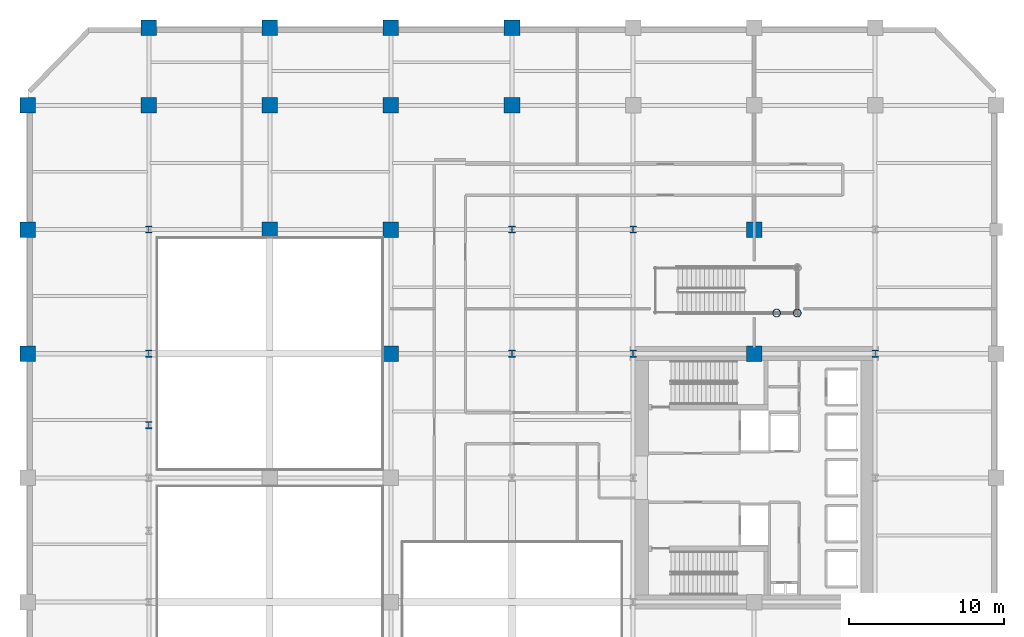
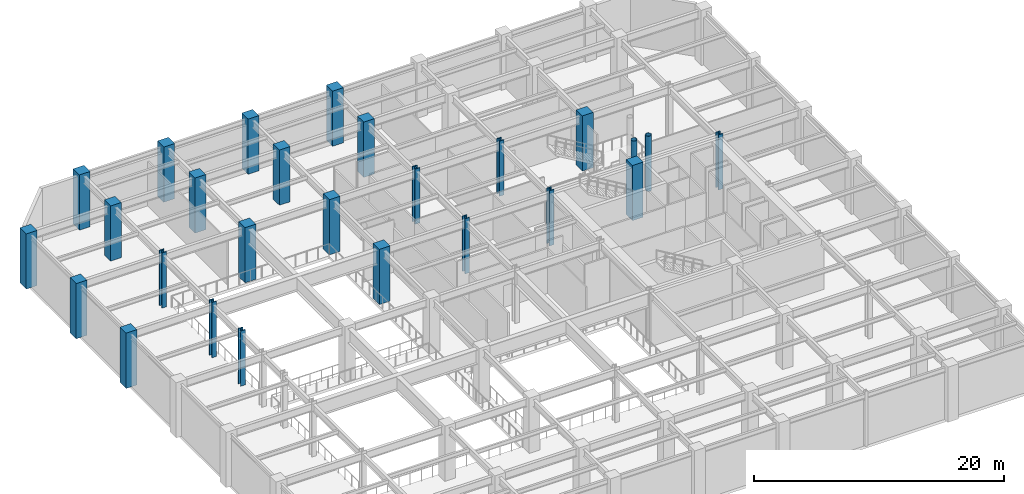
# One storey, part 4 of 15: 26 columns.
"""IFC4 building model written with IfcOpenShell, lengths in metres."""

from ifc_helpers import new_model, si_unit, direction, frame, origin, origin_2d, place, context, subcontext, project, spatial, rectangle, hollow_circle, i_section, extrude, material, material_profile, profile_set, type_object, element, save


model = new_model("IFC4")

# Units and contexts
model_context = context("Model", 3, precision=1e-05, world=origin(), true_north=direction((0.0, 1.0)))
body_context = subcontext(model_context, "Body", "Model", "MODEL_VIEW")
ifc_project = project(units=[si_unit("LENGTHUNIT", "METRE"), si_unit("AREAUNIT", "SQUARE_METRE"), si_unit("VOLUMEUNIT", "CUBIC_METRE"), si_unit("PLANEANGLEUNIT", "RADIAN"), si_unit("MASSUNIT", "GRAM", prefix="KILO")], contexts=[model_context])

# Site, building, storey
site_placement = place(None, origin())
site = spatial("IfcSite", under=ifc_project, at=site_placement, CompositionType="ELEMENT")
building_placement = place(site_placement, origin())
building = spatial("IfcBuilding", under=site, at=building_placement, Name="Veymaron Broadcast Tower", CompositionType="ELEMENT")
storey_placement = place(building_placement, frame((0.0, 0.0, 5.39990234375)))
storey = spatial("IfcBuildingStorey", under=building, at=storey_placement, Name="L01", CompositionType="ELEMENT", Elevation=5.39990234375)

# Columns
ifc_material_1 = material(Name="Structural steel ASTM A913 Gr 65", Category="steel")
ifc_material_profile_1 = material_profile(ifc_material_1, i_section(OverallWidth=0.424072265625, OverallDepth=0.47412109375, WebThickness=0.047607421875, FlangeThickness=0.076904296875, at=origin_2d()), Name="W360X634")
ifc_profile_set_1 = profile_set([ifc_material_profile_1], Name="Structural steel ASTM A913 Gr 65")
column_type_1 = type_object("IfcColumnType", Name="COL-MC1", PredefinedType="COLUMN", material=ifc_profile_set_1)
for number, where, z_axis, x_axis, name in (
    (1, (7.800048828125, 32.0, 0.0), (0.0, 0.0, 1.0), (1.0, 0.0, 0.0), "L01 column (7.8, 32.0)"),
    (2, (7.800048828125, 40.0, 0.0), (0.0, 0.0, 1.0), (1.0, 0.0, 0.0), "L01 column (7.8, 40.0)"),
    (3, (31.199951171875, 32.0, 0.0), (0.0, 0.0, 1.0), (1.0, 0.0, 0.0), "L01 column (31.2, 32.0)"),
    (4, (31.199951171875, 40.0, 0.0), (0.0, 0.0, 1.0), (1.0, 0.0, 0.0), "L01 column (31.2, 40.0)"),
    (5, (39.0, 32.0, 0.0), (0.0, 0.0, 1.0), (1.0, 0.0, 0.0), "L01 column (39.0, 32.0)"),
    (6, (39.0, 40.0, 0.0), (0.0, 0.0, 1.0), (1.0, 0.0, 0.0), "L01 column (39.0, 40.0)"),
    (7, (54.60009765625, 32.0, 0.0), (0.0, 0.0, 1.0), (1.0, 0.0, 0.0), "L01 column (54.6, 32.0)"),
):
    element("IfcColumn", number, at=place(storey_placement, frame(where, z_axis=z_axis, x_axis=x_axis)), inside=storey, type_object=column_type_1, Name=name, PredefinedType="COLUMN", context=body_context, shape_type="SweptSolid", body=[
        extrude(i_section(OverallWidth=0.424072265625, OverallDepth=0.47412109375, WebThickness=0.047607421875, FlangeThickness=0.076904296875, at=origin_2d()), origin(), (0.0, 0.0, 1.0), 5.39501953125),
    ])
column_placement = place(storey_placement, frame((7.800048828125, 27.39990234375, 0.0), z_axis=(0.0, 0.0, 1.0), x_axis=(1.0, 0.0, 0.0)))
element("IfcColumn", 8, at=column_placement, inside=storey, type_object=column_type_1, Name="L01 Mega Column podium base", PredefinedType="COLUMN", context=body_context, shape_type="SweptSolid", body=[
    extrude(i_section(OverallWidth=0.424072265625, OverallDepth=0.47412109375, WebThickness=0.047607421875, FlangeThickness=0.076904296875, at=origin_2d()), origin(), (0.0, 0.0, 1.0), 5.39404296875),
])
ifc_material_2 = material(Name="Structural steel ASTM A992 Gr 50", Category="steel")
ifc_material_profile_2 = material_profile(ifc_material_2, hollow_circle(Radius=0.25390625, WallThickness=0.02001953125, at=origin_2d()), Name="CHS508X20")
ifc_profile_set_2 = profile_set([ifc_material_profile_2], Name="Structural steel ASTM A992 Gr 50")
column_type_2 = type_object("IfcColumnType", Name="COL-PL2", PredefinedType="COLUMN", material=ifc_profile_set_2)
for number, where, z_axis, x_axis, name in (
    (9, (48.25, 34.6201171875, 0.0), (0.0, 0.0, 1.0), (1.0, 0.0, 0.0), "L01 feature stair support column"),
    (10, (49.580078125, 34.6201171875, 0.0), (0.0, 0.0, 1.0), (1.0, 0.0, 0.0), "L01 feature stair support column"),
):
    element("IfcColumn", number, at=place(storey_placement, frame(where, z_axis=z_axis, x_axis=x_axis)), inside=storey, type_object=column_type_2, Name=name, PredefinedType="COLUMN", context=body_context, shape_type="SweptSolid", body=[
        extrude(hollow_circle(Radius=0.25390625, WallThickness=0.02001953125, at=origin_2d()), origin(), (0.0, 0.0, 1.0), 5.39404296875),
    ])
ifc_material_3 = material(Name="Concrete C60/75", Category="concrete")
ifc_material_profile_3 = material_profile(ifc_material_3, rectangle(XDim=1.0, YDim=1.0, at=origin_2d()), Name="RC1000X1000")
ifc_profile_set_3 = profile_set([ifc_material_profile_3], Name="Concrete C60/75")
column_type_3 = type_object("IfcColumnType", Name="COL-RC3", PredefinedType="COLUMN", material=ifc_profile_set_3)
for number, where, z_axis, x_axis, name in (
    (11, (0.0, 32.0, 0.0), (0.0, 0.0, 1.0), (1.0, 0.0, 0.0), "L01 column (0.0, 32.0)"),
    (12, (0.0, 40.0, 0.0), (0.0, 0.0, 1.0), (1.0, 0.0, 0.0), "L01 column (0.0, 40.0)"),
    (13, (0.0, 48.0, 0.0), (0.0, 0.0, 1.0), (1.0, 0.0, 0.0), "L01 column (0.0, 48.0)"),
    (14, (7.800048828125, 48.0, 0.0), (0.0, 0.0, 1.0), (1.0, 0.0, 0.0), "L01 column (7.8, 48.0)"),
    (15, (7.800048828125, 53.0, 0.0), (0.0, 0.0, 1.0), (1.0, 0.0, 0.0), "L01 column (7.8, 53.0)"),
    (16, (15.60009765625, 40.0, 0.0), (0.0, 0.0, 1.0), (1.0, 0.0, 0.0), "L01 column (15.6, 40.0)"),
    (17, (15.60009765625, 48.0, 0.0), (0.0, 0.0, 1.0), (1.0, 0.0, 0.0), "L01 column (15.6, 48.0)"),
    (18, (15.60009765625, 53.0, 0.0), (0.0, 0.0, 1.0), (1.0, 0.0, 0.0), "L01 column (15.6, 53.0)"),
    (19, (23.39990234375, 32.0, 0.0), (0.0, 0.0, 1.0), (1.0, 0.0, 0.0), "L01 column (23.4, 32.0)"),
    (20, (23.39990234375, 40.0, 0.0), (0.0, 0.0, 1.0), (1.0, 0.0, 0.0), "L01 column (23.4, 40.0)"),
    (21, (23.39990234375, 48.0, 0.0), (0.0, 0.0, 1.0), (1.0, 0.0, 0.0), "L01 column (23.4, 48.0)"),
    (22, (23.39990234375, 53.0, 0.0), (0.0, 0.0, 1.0), (1.0, 0.0, 0.0), "L01 column (23.4, 53.0)"),
    (23, (31.199951171875, 48.0, 0.0), (0.0, 0.0, 1.0), (1.0, 0.0, 0.0), "L01 column (31.2, 48.0)"),
    (24, (31.199951171875, 53.0, 0.0), (0.0, 0.0, 1.0), (1.0, 0.0, 0.0), "L01 column (31.2, 53.0)"),
    (25, (46.800048828125, 32.0, 0.0), (0.0, 0.0, 1.0), (1.0, 0.0, 0.0), "L01 column (46.8, 32.0)"),
    (26, (46.800048828125, 40.0, 0.0), (0.0, 0.0, 1.0), (1.0, 0.0, 0.0), "L01 column (46.8, 40.0)"),
):
    element("IfcColumn", number, at=place(storey_placement, frame(where, z_axis=z_axis, x_axis=x_axis)), inside=storey, type_object=column_type_3, Name=name, PredefinedType="COLUMN", context=body_context, shape_type="SweptSolid", body=[
        extrude(rectangle(XDim=1.0, YDim=1.0, at=origin_2d()), origin(), (0.0, 0.0, 1.0), 5.39501953125),
    ])

save(model, "model.ifc")
